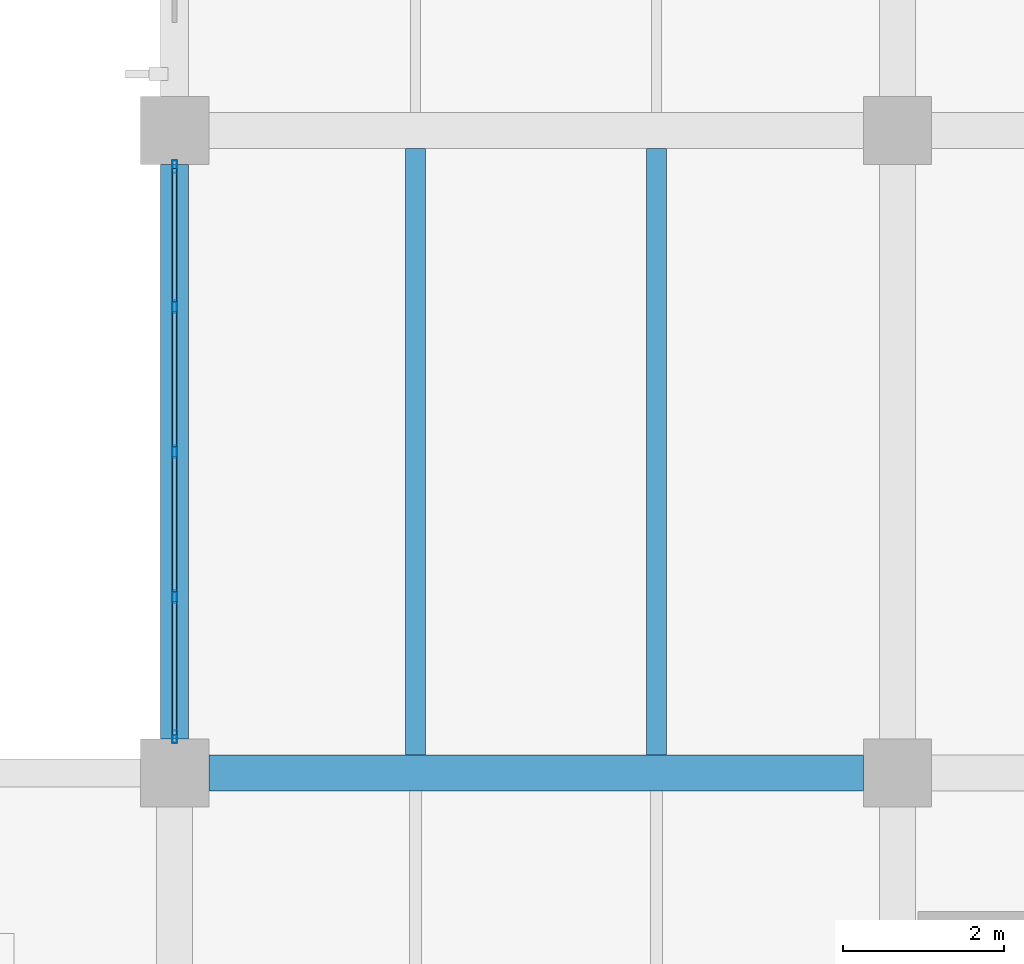
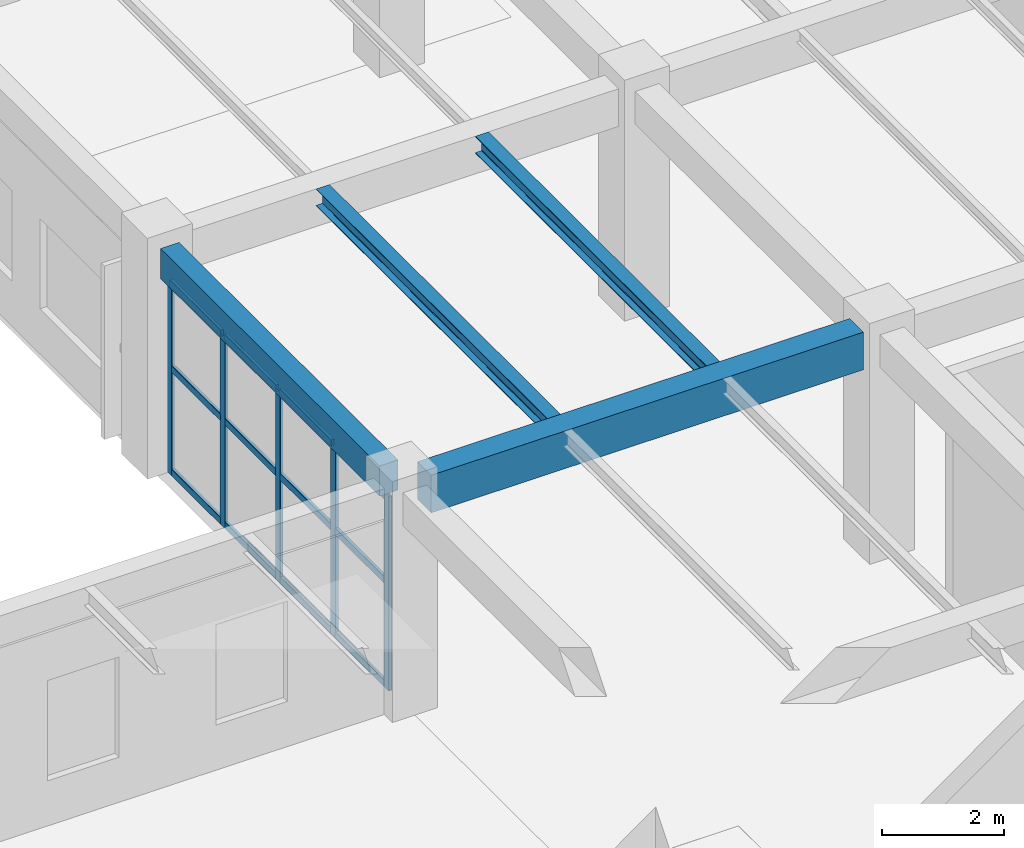
# One storey, part 115 of 178: 17 members, 4 beams, 1 element without a shape of its own.
"""IFC4 building model written with IfcOpenShell, lengths in metres."""

from ifc_helpers import new_model, si_unit, derived_unit, direction, frame, origin, origin_2d, place, context, subcontext, project, spatial, rectangle, hollow_rectangle, i_section, extrude, material, material_profile, profile_set, type_object, element, aggregate, save


model = new_model("IFC4")

# Units and contexts
model_context = context("Model", 3, precision=1e-05, world=origin(), true_north=direction((0.0, 1.0)))
body_context = subcontext(model_context, "Body", "Model", "MODEL_VIEW")
ifc_project = project(units=[si_unit("LENGTHUNIT", "METRE"), si_unit("AREAUNIT", "SQUARE_METRE"), si_unit("VOLUMEUNIT", "CUBIC_METRE"), si_unit("PLANEANGLEUNIT", "RADIAN"), si_unit("MASSUNIT", "GRAM", prefix="KILO"), derived_unit("THERMALTRANSMITTANCEUNIT", [(si_unit("MASSUNIT", "GRAM", prefix="KILO"), 1), (si_unit("TIMEUNIT", "SECOND"), -3), (si_unit("THERMODYNAMICTEMPERATUREUNIT", "KELVIN"), -1)])], contexts=[model_context])

# Site, building, storey
site_placement = place(None, origin())
site = spatial("IfcSite", under=ifc_project, at=site_placement, CompositionType="ELEMENT")
building_placement = place(site_placement, origin())
building = spatial("IfcBuilding", under=site, at=building_placement, Name="Zhenchuan Archway Interchange", CompositionType="ELEMENT")
storey_placement = place(building_placement, frame((0.0, 0.0, 5.39990234375)))
storey = spatial("IfcBuildingStorey", under=building, at=storey_placement, Name="L01", CompositionType="ELEMENT", Elevation=5.39990234375)

# Beam
ifc_material_1 = material(Name="Concrete C40", Category="concrete")
ifc_material_profile_1 = material_profile(ifc_material_1, rectangle(XDim=0.449951171875, YDim=0.75, at=origin_2d()), Name="RC 450x750")
ifc_profile_set_1 = profile_set([ifc_material_profile_1], Name="Concrete C40")
beam_type_1 = type_object("IfcBeamType", Name="BM_RC_450x750", PredefinedType="BEAM", material=ifc_profile_set_1)
beam_1_placement = place(storey_placement, frame((144.425048828125, 24.0, 4.135009765625), z_axis=(1.0, 0.0, 0.0), x_axis=(0.0, 1.0, 0.0)))
element("IfcBeam", 1, at=beam_1_placement, inside=storey, type_object=beam_type_1, Name="Beam D:17-18 (L01)", PredefinedType="BEAM", context=body_context, shape_type="SweptSolid", body=[
    extrude(rectangle(XDim=0.449951171875, YDim=0.75, at=origin_2d()), origin(), (0.0, 0.0, 1.0), 8.14990234375),
])

# Curtain wall, members
ifc_material_2 = material(Name="Anodised Aluminium", Category="aluminium")
curtain_wall_type = type_object("IfcCurtainWallType", Name="CW_UNIT_1", PredefinedType="NOTDEFINED", material=ifc_material_2)
curtain_wall_placement = place(storey_placement, origin())
curtain_wall = element("IfcCurtainWall", 2, at=curtain_wall_placement, inside=storey, type_object=curtain_wall_type, Name="Unitised curtain wall CW:L01:104", PredefinedType="NOTDEFINED")
ifc_material_profile_2 = material_profile(ifc_material_2, hollow_rectangle(XDim=0.06005859375, YDim=0.159912109375, WallThickness=0.00390625, InnerFilletRadius=0.00390625, OuterFilletRadius=0.008056640625, at=origin_2d()), Name="ALU 160x60x4")
ifc_profile_set_2 = profile_set([ifc_material_profile_2], Name="Anodised Aluminium")
member_type_1 = type_object("IfcMemberType", Name="CW_MUL_150", PredefinedType="MULLION", material=ifc_profile_set_2)
member_1_placement = place(storey_placement, frame((144.0, 24.452880859375, 0.0), z_axis=(0.0, 0.0, 1.0), x_axis=(1.0, 0.0, 0.0)))
member_1 = element("IfcMember", 3, at=member_1_placement, type_object=member_type_1, Name="CW:L01:104 mullion 0", PredefinedType="MULLION", context=body_context, shape_type="SweptSolid", body=[
    extrude(hollow_rectangle(XDim=0.06005859375, YDim=0.159912109375, WallThickness=0.00390625, InnerFilletRadius=0.00390625, OuterFilletRadius=0.008056640625, at=origin_2d()), origin(), (0.0, 0.0, 1.0), 3.880126953125),
])
member_2_placement = place(storey_placement, frame((144.0, 26.196533203125, 0.0), z_axis=(0.0, 0.0, 1.0), x_axis=(1.0, 0.0, 0.0)))
member_2 = element("IfcMember", 4, at=member_2_placement, type_object=member_type_1, Name="CW:L01:104 mullion 1", PredefinedType="MULLION", context=body_context, shape_type="SweptSolid", body=[
    extrude(hollow_rectangle(XDim=0.06005859375, YDim=0.159912109375, WallThickness=0.00390625, InnerFilletRadius=0.00390625, OuterFilletRadius=0.008056640625, at=origin_2d()), origin(), (0.0, 0.0, 1.0), 3.880126953125),
])
member_3_placement = place(storey_placement, frame((144.0, 28.0, 0.0), z_axis=(0.0, 0.0, 1.0), x_axis=(1.0, 0.0, 0.0)))
member_3 = element("IfcMember", 5, at=member_3_placement, type_object=member_type_1, Name="CW:L01:104 mullion 2", PredefinedType="MULLION", context=body_context, shape_type="SweptSolid", body=[
    extrude(hollow_rectangle(XDim=0.06005859375, YDim=0.159912109375, WallThickness=0.00390625, InnerFilletRadius=0.00390625, OuterFilletRadius=0.008056640625, at=origin_2d()), origin(), (0.0, 0.0, 1.0), 3.880126953125),
])
member_4_placement = place(storey_placement, frame((144.0, 29.803466796875, 0.0), z_axis=(0.0, 0.0, 1.0), x_axis=(1.0, 0.0, 0.0)))
member_4 = element("IfcMember", 6, at=member_4_placement, type_object=member_type_1, Name="CW:L01:104 mullion 3", PredefinedType="MULLION", context=body_context, shape_type="SweptSolid", body=[
    extrude(hollow_rectangle(XDim=0.06005859375, YDim=0.159912109375, WallThickness=0.00390625, InnerFilletRadius=0.00390625, OuterFilletRadius=0.008056640625, at=origin_2d()), origin(), (0.0, 0.0, 1.0), 3.880126953125),
])
member_5_placement = place(storey_placement, frame((144.0, 31.547119140625, 0.0), z_axis=(0.0, 0.0, 1.0), x_axis=(1.0, 0.0, 0.0)))
member_5 = element("IfcMember", 7, at=member_5_placement, type_object=member_type_1, Name="CW:L01:104 mullion 4", PredefinedType="MULLION", context=body_context, shape_type="SweptSolid", body=[
    extrude(hollow_rectangle(XDim=0.06005859375, YDim=0.159912109375, WallThickness=0.00390625, InnerFilletRadius=0.00390625, OuterFilletRadius=0.008056640625, at=origin_2d()), origin(), (0.0, 0.0, 1.0), 3.880126953125),
])
ifc_material_profile_3 = material_profile(ifc_material_2, hollow_rectangle(XDim=0.06005859375, YDim=0.139892578125, WallThickness=0.00341796875, InnerFilletRadius=0.00341796875, OuterFilletRadius=0.007080078125, at=origin_2d()), Name="ALU 140x60x3.5")
ifc_profile_set_3 = profile_set([ifc_material_profile_3], Name="Anodised Aluminium")
member_type_2 = type_object("IfcMemberType", Name="CW_TRN_140", PredefinedType="USERDEFINED", material=ifc_profile_set_3)
member_6_placement = place(storey_placement, frame((144.0, 24.472900390625, 0.06005859375), z_axis=(0.0, 1.0, 0.0), x_axis=(-1.0, 0.0, 0.0)))
member_6 = element("IfcMember", 8, at=member_6_placement, type_object=member_type_2, Name="CW:L01:104 transom 0-1", ObjectType="TRANSOM", PredefinedType="USERDEFINED", context=body_context, shape_type="SweptSolid", body=[
    extrude(hollow_rectangle(XDim=0.06005859375, YDim=0.139892578125, WallThickness=0.00341796875, InnerFilletRadius=0.00341796875, OuterFilletRadius=0.007080078125, at=origin_2d()), origin(), (0.0, 0.0, 1.0), 1.66357421875),
])
member_7_placement = place(storey_placement, frame((144.0, 24.472900390625, 2.123046875), z_axis=(0.0, 1.0, 0.0), x_axis=(-1.0, 0.0, 0.0)))
member_7 = element("IfcMember", 9, at=member_7_placement, type_object=member_type_2, Name="CW:L01:104 transom 0-2", ObjectType="TRANSOM", PredefinedType="USERDEFINED", context=body_context, shape_type="SweptSolid", body=[
    extrude(hollow_rectangle(XDim=0.06005859375, YDim=0.139892578125, WallThickness=0.00341796875, InnerFilletRadius=0.00341796875, OuterFilletRadius=0.007080078125, at=origin_2d()), origin(), (0.0, 0.0, 1.0), 1.66357421875),
])
member_8_placement = place(storey_placement, frame((144.0, 24.472900390625, 3.800048828125), z_axis=(0.0, 1.0, 0.0), x_axis=(-1.0, 0.0, 0.0)))
member_8 = element("IfcMember", 10, at=member_8_placement, type_object=member_type_2, Name="CW:L01:104 transom 0-3", ObjectType="TRANSOM", PredefinedType="USERDEFINED", context=body_context, shape_type="SweptSolid", body=[
    extrude(hollow_rectangle(XDim=0.06005859375, YDim=0.139892578125, WallThickness=0.00341796875, InnerFilletRadius=0.00341796875, OuterFilletRadius=0.007080078125, at=origin_2d()), origin(), (0.0, 0.0, 1.0), 1.66357421875),
])
member_9_placement = place(storey_placement, frame((144.0, 26.256591796875, 0.06005859375), z_axis=(0.0, 1.0, 0.0), x_axis=(-1.0, 0.0, 0.0)))
member_9 = element("IfcMember", 11, at=member_9_placement, type_object=member_type_2, Name="CW:L01:104 transom 1-1", ObjectType="TRANSOM", PredefinedType="USERDEFINED", context=body_context, shape_type="SweptSolid", body=[
    extrude(hollow_rectangle(XDim=0.06005859375, YDim=0.139892578125, WallThickness=0.00341796875, InnerFilletRadius=0.00341796875, OuterFilletRadius=0.007080078125, at=origin_2d()), origin(), (0.0, 0.0, 1.0), 1.683349609375),
])
member_10_placement = place(storey_placement, frame((144.0, 26.256591796875, 2.123046875), z_axis=(0.0, 1.0, 0.0), x_axis=(-1.0, 0.0, 0.0)))
member_10 = element("IfcMember", 12, at=member_10_placement, type_object=member_type_2, Name="CW:L01:104 transom 1-2", ObjectType="TRANSOM", PredefinedType="USERDEFINED", context=body_context, shape_type="SweptSolid", body=[
    extrude(hollow_rectangle(XDim=0.06005859375, YDim=0.139892578125, WallThickness=0.00341796875, InnerFilletRadius=0.00341796875, OuterFilletRadius=0.007080078125, at=origin_2d()), origin(), (0.0, 0.0, 1.0), 1.683349609375),
])
member_11_placement = place(storey_placement, frame((144.0, 26.256591796875, 3.800048828125), z_axis=(0.0, 1.0, 0.0), x_axis=(-1.0, 0.0, 0.0)))
member_11 = element("IfcMember", 13, at=member_11_placement, type_object=member_type_2, Name="CW:L01:104 transom 1-3", ObjectType="TRANSOM", PredefinedType="USERDEFINED", context=body_context, shape_type="SweptSolid", body=[
    extrude(hollow_rectangle(XDim=0.06005859375, YDim=0.139892578125, WallThickness=0.00341796875, InnerFilletRadius=0.00341796875, OuterFilletRadius=0.007080078125, at=origin_2d()), origin(), (0.0, 0.0, 1.0), 1.683349609375),
])
member_12_placement = place(storey_placement, frame((144.0, 28.06005859375, 0.06005859375), z_axis=(0.0, 1.0, 0.0), x_axis=(-1.0, 0.0, 0.0)))
member_12 = element("IfcMember", 14, at=member_12_placement, type_object=member_type_2, Name="CW:L01:104 transom 2-1", ObjectType="TRANSOM", PredefinedType="USERDEFINED", context=body_context, shape_type="SweptSolid", body=[
    extrude(hollow_rectangle(XDim=0.06005859375, YDim=0.139892578125, WallThickness=0.00341796875, InnerFilletRadius=0.00341796875, OuterFilletRadius=0.007080078125, at=origin_2d()), origin(), (0.0, 0.0, 1.0), 1.683349609375),
])
member_13_placement = place(storey_placement, frame((144.0, 28.06005859375, 2.123046875), z_axis=(0.0, 1.0, 0.0), x_axis=(-1.0, 0.0, 0.0)))
member_13 = element("IfcMember", 15, at=member_13_placement, type_object=member_type_2, Name="CW:L01:104 transom 2-2", ObjectType="TRANSOM", PredefinedType="USERDEFINED", context=body_context, shape_type="SweptSolid", body=[
    extrude(hollow_rectangle(XDim=0.06005859375, YDim=0.139892578125, WallThickness=0.00341796875, InnerFilletRadius=0.00341796875, OuterFilletRadius=0.007080078125, at=origin_2d()), origin(), (0.0, 0.0, 1.0), 1.683349609375),
])
member_14_placement = place(storey_placement, frame((144.0, 28.06005859375, 3.800048828125), z_axis=(0.0, 1.0, 0.0), x_axis=(-1.0, 0.0, 0.0)))
member_14 = element("IfcMember", 16, at=member_14_placement, type_object=member_type_2, Name="CW:L01:104 transom 2-3", ObjectType="TRANSOM", PredefinedType="USERDEFINED", context=body_context, shape_type="SweptSolid", body=[
    extrude(hollow_rectangle(XDim=0.06005859375, YDim=0.139892578125, WallThickness=0.00341796875, InnerFilletRadius=0.00341796875, OuterFilletRadius=0.007080078125, at=origin_2d()), origin(), (0.0, 0.0, 1.0), 1.683349609375),
])
member_15_placement = place(storey_placement, frame((144.0, 29.863525390625, 0.06005859375), z_axis=(0.0, 1.0, 0.0), x_axis=(-1.0, 0.0, 0.0)))
member_15 = element("IfcMember", 17, at=member_15_placement, type_object=member_type_2, Name="CW:L01:104 transom 3-1", ObjectType="TRANSOM", PredefinedType="USERDEFINED", context=body_context, shape_type="SweptSolid", body=[
    extrude(hollow_rectangle(XDim=0.06005859375, YDim=0.139892578125, WallThickness=0.00341796875, InnerFilletRadius=0.00341796875, OuterFilletRadius=0.007080078125, at=origin_2d()), origin(), (0.0, 0.0, 1.0), 1.66357421875),
])
member_16_placement = place(storey_placement, frame((144.0, 29.863525390625, 2.123046875), z_axis=(0.0, 1.0, 0.0), x_axis=(-1.0, 0.0, 0.0)))
member_16 = element("IfcMember", 18, at=member_16_placement, type_object=member_type_2, Name="CW:L01:104 transom 3-2", ObjectType="TRANSOM", PredefinedType="USERDEFINED", context=body_context, shape_type="SweptSolid", body=[
    extrude(hollow_rectangle(XDim=0.06005859375, YDim=0.139892578125, WallThickness=0.00341796875, InnerFilletRadius=0.00341796875, OuterFilletRadius=0.007080078125, at=origin_2d()), origin(), (0.0, 0.0, 1.0), 1.66357421875),
])
member_17_placement = place(storey_placement, frame((144.0, 29.863525390625, 3.800048828125), z_axis=(0.0, 1.0, 0.0), x_axis=(-1.0, 0.0, 0.0)))
member_17 = element("IfcMember", 19, at=member_17_placement, type_object=member_type_2, Name="CW:L01:104 transom 3-3", ObjectType="TRANSOM", PredefinedType="USERDEFINED", context=body_context, shape_type="SweptSolid", body=[
    extrude(hollow_rectangle(XDim=0.06005859375, YDim=0.139892578125, WallThickness=0.00341796875, InnerFilletRadius=0.00341796875, OuterFilletRadius=0.007080078125, at=origin_2d()), origin(), (0.0, 0.0, 1.0), 1.66357421875),
])
aggregate(curtain_wall, [member_1, member_2, member_3, member_4, member_5, member_6, member_7, member_8, member_9, member_10, member_11, member_12, member_13, member_14, member_15, member_16, member_17])

# Beams
ifc_material_3 = material(Name="Steel Q355", Category="steel")
ifc_material_profile_4 = material_profile(ifc_material_3, i_section(OverallWidth=0.25, OverallDepth=0.340087890625, WebThickness=0.009033203125, FlangeThickness=0.013916015625, FilletRadius=0.01806640625, at=origin_2d()), Name="HM 340x250")
ifc_profile_set_4 = profile_set([ifc_material_profile_4], Name="Steel Q355")
beam_type_2 = type_object("IfcBeamType", Name="JST_STL_HM340", PredefinedType="JOIST", material=ifc_profile_set_4)
for number, where, z_axis, x_axis, name in (
    (20, (147.0, 24.22509765625, 4.340087890625), (0.0, 1.0, 0.0), (-1.0, 0.0, 0.0), "Secondary joist 17-18/D-E #1 (L01)"),
    (21, (150.0, 24.22509765625, 4.340087890625), (0.0, 1.0, 0.0), (-1.0, 0.0, 0.0), "Secondary joist 17-18/D-E #2 (L01)"),
):
    element("IfcBeam", number, at=place(storey_placement, frame(where, z_axis=z_axis, x_axis=x_axis)), inside=storey, type_object=beam_type_2, Name=name, PredefinedType="JOIST", context=body_context, shape_type="SweptSolid", body=[
        extrude(i_section(OverallWidth=0.25, OverallDepth=0.340087890625, WebThickness=0.009033203125, FlangeThickness=0.013916015625, FilletRadius=0.01806640625, at=origin_2d()), origin(), (0.0, 0.0, 1.0), 7.5498046875),
    ])
ifc_material_profile_5 = material_profile(ifc_material_1, rectangle(XDim=0.35009765625, YDim=0.60009765625, at=origin_2d()), Name="RC 350x600")
ifc_profile_set_5 = profile_set([ifc_material_profile_5], Name="Concrete C40")
beam_type_3 = type_object("IfcBeamType", Name="SP_RC_350x600", PredefinedType="SPANDREL", material=ifc_profile_set_5)
beam_2_placement = place(storey_placement, frame((144.0, 24.425048828125, 4.210205078125), z_axis=(0.0, 1.0, 0.0), x_axis=(-1.0, 0.0, 0.0)))
element("IfcBeam", 22, at=beam_2_placement, inside=storey, type_object=beam_type_3, Name="Beam 17:D-E (L01)", PredefinedType="SPANDREL", context=body_context, shape_type="SweptSolid", body=[
    extrude(rectangle(XDim=0.35009765625, YDim=0.60009765625, at=origin_2d()), origin(), (0.0, 0.0, 1.0), 7.14990234375),
])

save(model, "model.ifc")
